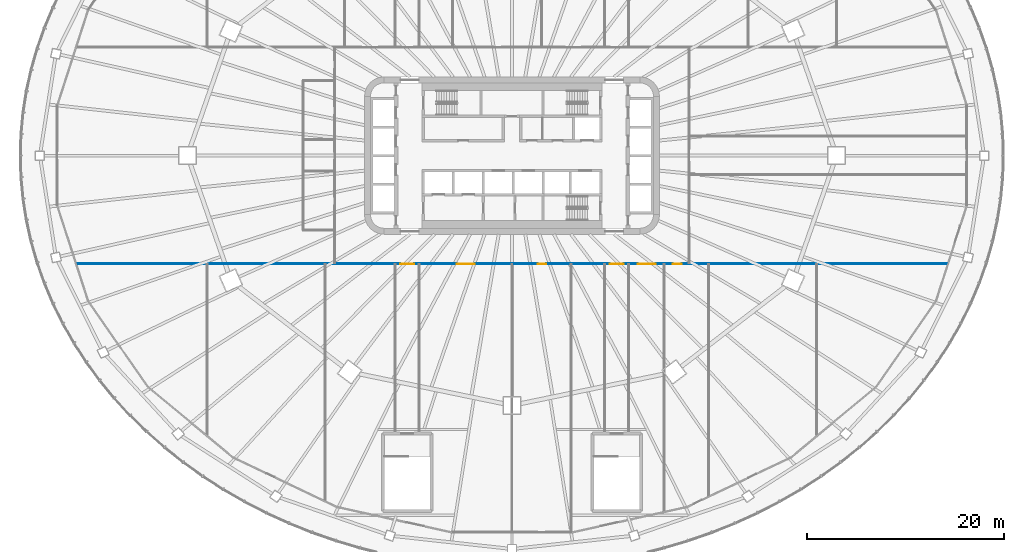
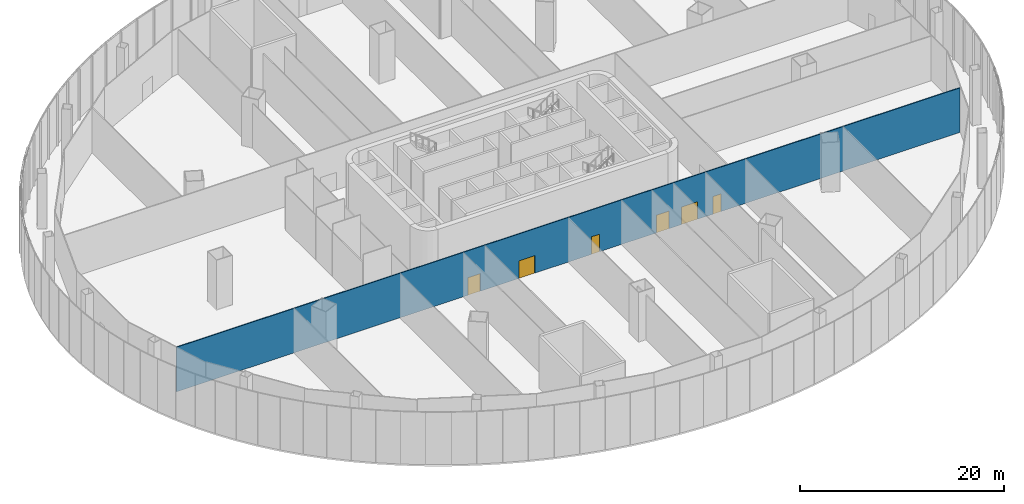
# One storey, part 20 of 33: 6 doors, 1 wall, 6 openings.
"""IFC4 building model written with IfcOpenShell, lengths in metres."""

from ifc_helpers import new_model, si_unit, direction, frame, frame_2d, origin, place, context, subcontext, project, spatial, rectangle, extrude, material, layer, layer_set, type_object, element, fill, save


model = new_model("IFC4")

# Units and contexts
model_context = context("Model", 3, precision=1e-05, world=origin(), true_north=direction((0.0, 1.0)))
body_context = subcontext(model_context, "Body", "Model", "MODEL_VIEW")
ifc_project = project(units=[si_unit("LENGTHUNIT", "METRE"), si_unit("AREAUNIT", "SQUARE_METRE"), si_unit("VOLUMEUNIT", "CUBIC_METRE"), si_unit("PLANEANGLEUNIT", "RADIAN"), si_unit("MASSUNIT", "GRAM", prefix="KILO")], contexts=[model_context])

# Site, building, storey
site_placement = place(None, origin())
site = spatial("IfcSite", under=ifc_project, at=site_placement, CompositionType="ELEMENT")
building_placement = place(site_placement, origin())
building = spatial("IfcBuilding", under=site, at=building_placement, Name="Sahrelin Media Tower", CompositionType="ELEMENT")
storey_placement = place(building_placement, frame((0.0, 0.0, 37.39990234375)))
storey = spatial("IfcBuildingStorey", under=building, at=storey_placement, Name="L05", CompositionType="ELEMENT", Elevation=37.39990234375)

# Wall, openings, doors
ifc_material_1 = material(Name="Gypsum board partition")
ifc_layer = layer(ifc_material_1, 0.10009765625)
ifc_layer_set = layer_set([ifc_layer], Name="Partition 100")
wall_type = type_object("IfcWallType", Name="Partition 100", PredefinedType="PARTITIONING", material=ifc_layer_set)
wall_placement = place(storey_placement, frame((-44.256103515625, -11.0, 0.0), z_axis=(0.0, 0.0, 1.0), x_axis=(1.0, 0.0, 0.0)))
wall = element("IfcWall", 1, at=wall_placement, inside=storey, type_object=wall_type, Name="Wall", PredefinedType="PARTITIONING", context=body_context, shape_type="SweptSolid", body=[
    extrude(rectangle(XDim=88.51220703125, YDim=0.10009765625, at=frame_2d((44.256103515625, 0.0))), origin(), (0.0, 0.0, 1.0), 5.318359375),
])
opening_1_placement = place(wall_placement, frame((32.89990234375, 0.0, 0.0)))
opening_1 = element("IfcOpeningElement", 2, at=opening_1_placement, cuts=wall, Name="Opening L05-D21", PredefinedType="OPENING", context=body_context, shape_type="SweptSolid", body=[
    extrude(rectangle(XDim=1.39990234375, YDim=2.10009765625, at=frame_2d((0.699951171875, 1.050048828125))), frame((0.0, 0.050048828125, 0.0), z_axis=(0.0, -1.0, 0.0), x_axis=(1.0, 0.0, 0.0)), (0.0, 0.0, 1.0), 0.10009765625),
])
opening_2_placement = place(wall_placement, frame((54.199951171875, 0.0, 0.0)))
opening_2 = element("IfcOpeningElement", 3, at=opening_2_placement, cuts=wall, Name="Opening L05-D22", PredefinedType="OPENING", context=body_context, shape_type="SweptSolid", body=[
    extrude(rectangle(XDim=1.39990234375, YDim=2.10009765625, at=frame_2d((0.699951171875, 1.050048828125))), frame((0.0, 0.050048828125, 0.0), z_axis=(0.0, -1.0, 0.0), x_axis=(1.0, 0.0, 0.0)), (0.0, 0.0, 1.0), 0.10009765625),
])
opening_3_placement = place(wall_placement, frame((38.64990234375, 0.0, 0.0)))
opening_3 = element("IfcOpeningElement", 4, at=opening_3_placement, cuts=wall, Name="Opening L05-D37", PredefinedType="OPENING", context=body_context, shape_type="SweptSolid", body=[
    extrude(rectangle(XDim=1.800048828125, YDim=2.10009765625, at=frame_2d((0.89990234375, 1.050048828125))), frame((0.0, 0.050048828125, 0.0), z_axis=(0.0, -1.0, 0.0), x_axis=(1.0, 0.0, 0.0)), (0.0, 0.0, 1.0), 0.10009765625),
])
opening_4_placement = place(wall_placement, frame((46.85009765625, 0.0, 0.0)))
opening_4 = element("IfcOpeningElement", 5, at=opening_4_placement, cuts=wall, Name="Opening L05-D39", PredefinedType="OPENING", context=body_context, shape_type="SweptSolid", body=[
    extrude(rectangle(XDim=0.89990234375, YDim=2.10009765625, at=frame_2d((0.449951171875, 1.050048828125))), frame((0.0, 0.050048828125, 0.0), z_axis=(0.0, -1.0, 0.0), x_axis=(1.0, 0.0, 0.0)), (0.0, 0.0, 1.0), 0.10009765625),
])
opening_5_placement = place(wall_placement, frame((57.050048828125, 0.0, 0.0)))
opening_5 = element("IfcOpeningElement", 6, at=opening_5_placement, cuts=wall, Name="Opening L05-D41", PredefinedType="OPENING", context=body_context, shape_type="SweptSolid", body=[
    extrude(rectangle(XDim=1.800048828125, YDim=2.10009765625, at=frame_2d((0.89990234375, 1.050048828125))), frame((0.0, 0.050048828125, 0.0), z_axis=(0.0, -1.0, 0.0), x_axis=(1.0, 0.0, 0.0)), (0.0, 0.0, 1.0), 0.10009765625),
])
opening_6_placement = place(wall_placement, frame((60.60009765625, 0.0, 0.0)))
opening_6 = element("IfcOpeningElement", 7, at=opening_6_placement, cuts=wall, Name="Opening L05-D43", PredefinedType="OPENING", context=body_context, shape_type="SweptSolid", body=[
    extrude(rectangle(XDim=0.89990234375, YDim=2.10009765625, at=frame_2d((0.449951171875, 1.050048828125))), frame((0.0, 0.050048828125, 0.0), z_axis=(0.0, -1.0, 0.0), x_axis=(1.0, 0.0, 0.0)), (0.0, 0.0, 1.0), 0.10009765625),
])
ifc_material_2 = material(Name="Timber door leaf", Category="wood")
door_type_1 = type_object("IfcDoorType", Name="Double door 1800 x 2100", OperationType="DOUBLE_DOOR_SINGLE_SWING", PredefinedType="DOOR", material=ifc_material_2)
door_1_placement = place(opening_3_placement, origin())
door_1 = element("IfcDoor", 8, at=door_1_placement, inside=storey, type_object=door_type_1, Name="Double door", OperationType="DOUBLE_DOOR_SINGLE_SWING", OverallHeight=2.10009765625, OverallWidth=1.800048828125, PredefinedType="DOOR", context=body_context, shape_type="SweptSolid", body=[
    extrude(rectangle(XDim=1.800048828125, YDim=2.10009765625, at=frame_2d((0.89990234375, 1.050048828125))), frame((0.0, 0.02490234375, 0.0), z_axis=(0.0, -1.0, 0.0), x_axis=(1.0, 0.0, 0.0)), (0.0, 0.0, 1.0), 0.050048828125),
])
fill(opening_3, door_1)
door_2_placement = place(opening_5_placement, origin())
door_2 = element("IfcDoor", 9, at=door_2_placement, inside=storey, type_object=door_type_1, Name="Double door", OperationType="DOUBLE_DOOR_SINGLE_SWING", OverallHeight=2.10009765625, OverallWidth=1.800048828125, PredefinedType="DOOR", context=body_context, shape_type="SweptSolid", body=[
    extrude(rectangle(XDim=1.800048828125, YDim=2.10009765625, at=frame_2d((0.89990234375, 1.050048828125))), frame((0.0, 0.02490234375, 0.0), z_axis=(0.0, -1.0, 0.0), x_axis=(1.0, 0.0, 0.0)), (0.0, 0.0, 1.0), 0.050048828125),
])
fill(opening_5, door_2)
door_type_2 = type_object("IfcDoorType", Name="Single door 1400 x 2100", OperationType="NOTDEFINED", PredefinedType="DOOR", material=ifc_material_2)
door_3_placement = place(opening_1_placement, origin())
door_3 = element("IfcDoor", 10, at=door_3_placement, inside=storey, type_object=door_type_2, Name="Single door", OperationType="SINGLE_SWING_LEFT", OverallHeight=2.10009765625, OverallWidth=1.39990234375, PredefinedType="DOOR", context=body_context, shape_type="SweptSolid", body=[
    extrude(rectangle(XDim=1.39990234375, YDim=2.10009765625, at=frame_2d((0.699951171875, 1.050048828125))), frame((0.0, 0.02490234375, 0.0), z_axis=(0.0, -1.0, 0.0), x_axis=(1.0, 0.0, 0.0)), (0.0, 0.0, 1.0), 0.050048828125),
])
fill(opening_1, door_3)
door_4_placement = place(opening_2_placement, origin())
door_4 = element("IfcDoor", 11, at=door_4_placement, inside=storey, type_object=door_type_2, Name="Single door", OperationType="SINGLE_SWING_RIGHT", OverallHeight=2.10009765625, OverallWidth=1.39990234375, PredefinedType="DOOR", context=body_context, shape_type="SweptSolid", body=[
    extrude(rectangle(XDim=1.39990234375, YDim=2.10009765625, at=frame_2d((0.699951171875, 1.050048828125))), frame((0.0, 0.02490234375, 0.0), z_axis=(0.0, -1.0, 0.0), x_axis=(1.0, 0.0, 0.0)), (0.0, 0.0, 1.0), 0.050048828125),
])
fill(opening_2, door_4)
door_type_3 = type_object("IfcDoorType", Name="Single door 900 x 2100", OperationType="NOTDEFINED", PredefinedType="DOOR", material=ifc_material_2)
door_5_placement = place(opening_4_placement, origin())
door_5 = element("IfcDoor", 12, at=door_5_placement, inside=storey, type_object=door_type_3, Name="Single door", OperationType="SINGLE_SWING_RIGHT", OverallHeight=2.10009765625, OverallWidth=0.89990234375, PredefinedType="DOOR", context=body_context, shape_type="SweptSolid", body=[
    extrude(rectangle(XDim=0.89990234375, YDim=2.10009765625, at=frame_2d((0.449951171875, 1.050048828125))), frame((0.0, 0.02490234375, 0.0), z_axis=(0.0, -1.0, 0.0), x_axis=(1.0, 0.0, 0.0)), (0.0, 0.0, 1.0), 0.050048828125),
])
fill(opening_4, door_5)
door_6_placement = place(opening_6_placement, origin())
door_6 = element("IfcDoor", 13, at=door_6_placement, inside=storey, type_object=door_type_3, Name="Single door", OperationType="SINGLE_SWING_RIGHT", OverallHeight=2.10009765625, OverallWidth=0.89990234375, PredefinedType="DOOR", context=body_context, shape_type="SweptSolid", body=[
    extrude(rectangle(XDim=0.89990234375, YDim=2.10009765625, at=frame_2d((0.449951171875, 1.050048828125))), frame((0.0, 0.02490234375, 0.0), z_axis=(0.0, -1.0, 0.0), x_axis=(1.0, 0.0, 0.0)), (0.0, 0.0, 1.0), 0.050048828125),
])
fill(opening_6, door_6)

save(model, "model.ifc")
